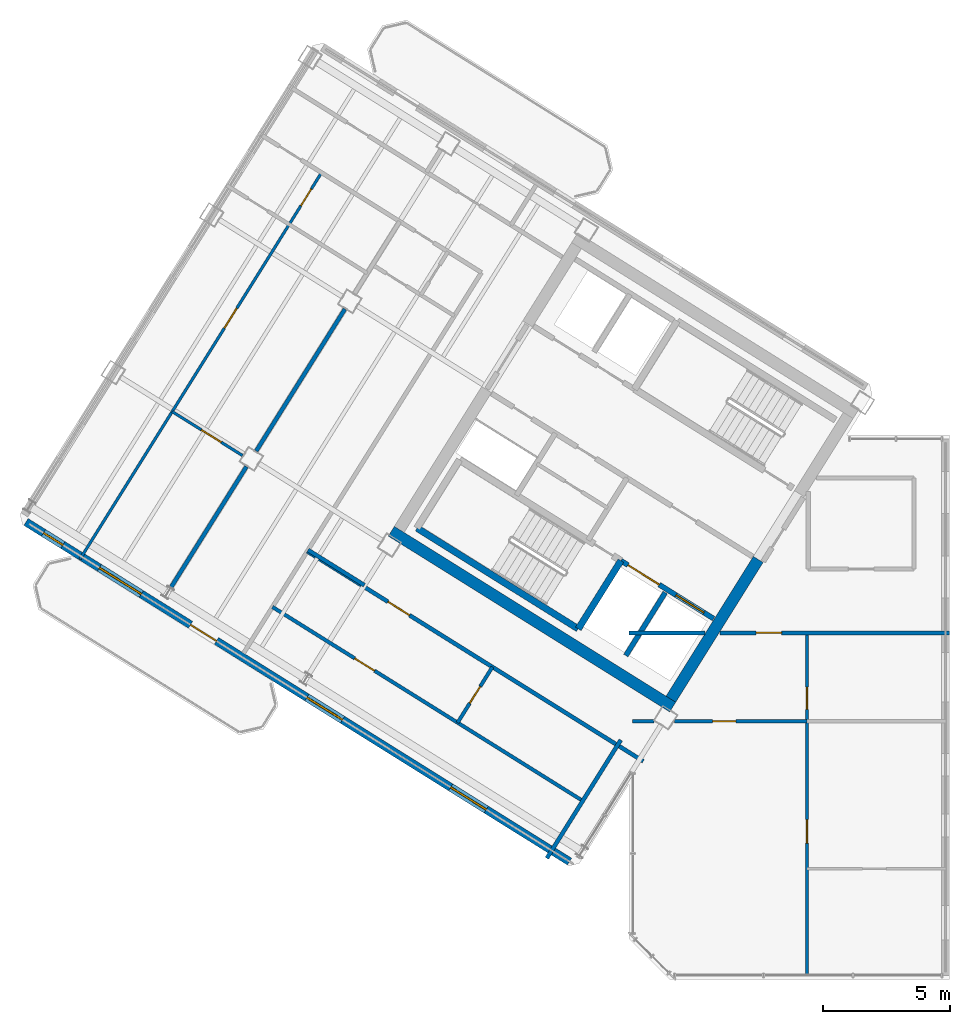
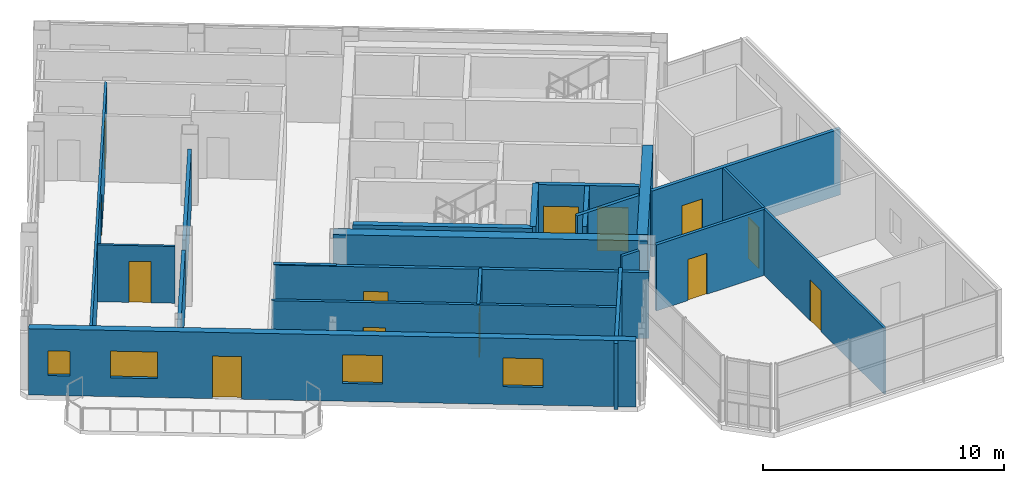
# One storey, part 7 of 14: 21 walls, 13 doors, 4 windows, 17 openings.
"""IFC4 building model written with IfcOpenShell, lengths in metres."""

from ifc_helpers import new_model, si_unit, direction, frame, frame_2d, origin, place, context, subcontext, project, spatial, rectangle, extrude, source, transform, mapped, material, layer, layer_set, type_object, element, fill, save


model = new_model("IFC4")

# Units and contexts
model_context = context("Model", 3, precision=1e-05, world=origin(), true_north=direction((0.0, 1.0)))
body_context = subcontext(model_context, "Body", "Model", "MODEL_VIEW")
ifc_project = project(units=[si_unit("LENGTHUNIT", "METRE"), si_unit("AREAUNIT", "SQUARE_METRE"), si_unit("VOLUMEUNIT", "CUBIC_METRE"), si_unit("PLANEANGLEUNIT", "RADIAN"), si_unit("MASSUNIT", "GRAM", prefix="KILO")], contexts=[model_context])

# Site, building, storey
site_placement = place(None, origin())
site = spatial("IfcSite", under=ifc_project, at=site_placement, CompositionType="ELEMENT")
building_placement = place(site_placement, origin())
building = spatial("IfcBuilding", under=site, at=building_placement, Name="Tlacorven Tower", CompositionType="ELEMENT")
storey_placement = place(building_placement, frame((0.0, 0.0, 284.39990234375)))
storey = spatial("IfcBuildingStorey", under=building, at=storey_placement, Name="L72", CompositionType="ELEMENT", Elevation=284.39990234375)

# Walls
ifc_material_1 = material(Name="Concrete C50/60", Category="concrete")
ifc_layer_1 = layer(ifc_material_1, 0.449951171875)
ifc_layer_set_1 = layer_set([ifc_layer_1], Name="Concrete C50/60")
wall_type_1 = type_object("IfcWallType", Name="WL-COR-450", PredefinedType="SHEAR", material=ifc_layer_set_1)
wall_1_placement = place(storey_placement, frame((33.32373046875, 12.5029296875, 0.0), z_axis=(0.0, 0.0, 1.0), x_axis=(-0.848043529849, 0.529926571782, 0.0)))
element("IfcWall", 1, at=wall_1_placement, inside=storey, type_object=wall_type_1, Name="L72 W core shear wall S2", PredefinedType="SHEAR", context=body_context, shape_type="SweptSolid", body=[
    extrude(rectangle(XDim=13.039794921875, YDim=0.449951171875, at=frame_2d((6.52001953125, 0.0))), origin(), (0.0, 0.0, 1.0), 3.35009765625),
])
wall_2_placement = place(storey_placement, frame((36.683349609375, 18.30419921875, 0.0), z_axis=(0.0, 0.0, 1.0), x_axis=(-0.529904039071, -0.848057609704, 0.0)))
element("IfcWall", 2, at=wall_2_placement, inside=storey, type_object=wall_type_1, Name="L72 W core end wall E1.2", PredefinedType="SHEAR", context=body_context, shape_type="SweptSolid", body=[
    extrude(rectangle(XDim=6.47509765625, YDim=0.449951171875, at=frame_2d((3.237548828125, 0.0))), origin(), (0.0, 0.0, 1.0), 3.35009765625),
])
ifc_material_2 = material(Name="Gypsum plasterboard acoustic partition", Category="gypsum")
ifc_layer_2 = layer(ifc_material_2, 0.159912109375)
ifc_layer_set_2 = layer_set([ifc_layer_2], Name="Gypsum plasterboard acoustic partition")
wall_type_2 = type_object("IfcWallType", Name="WL-DEM-160", PredefinedType="PARTITIONING", material=ifc_layer_set_2)
wall_3_placement = place(storey_placement, frame((21.20556640625, 17.29248046875, 0.0), z_axis=(0.0, 0.0, 1.0), x_axis=(-0.848050851465, 0.529914854792, 0.0)))
element("IfcWall", 3, at=wall_3_placement, inside=storey, type_object=wall_type_2, Name="L72 partition 21", PredefinedType="PARTITIONING", context=body_context, shape_type="SweptSolid", body=[
    extrude(rectangle(XDim=2.60986328125, YDim=0.159912109375, at=frame_2d((1.304931640625, 0.0))), origin(), (0.0, 0.0, 1.0), 3.340087890625),
])
wall_4_placement = place(storey_placement, frame((20.440185546875, 28.14501953125, 0.0), z_axis=(0.0, 0.0, 1.0), x_axis=(-0.529938869374, -0.84803584519, 0.0)))
element("IfcWall", 4, at=wall_4_placement, inside=storey, type_object=wall_type_2, Name="L72 WN Demising Wall 1", PredefinedType="PARTITIONING", context=body_context, shape_type="SweptSolid", body=[
    extrude(rectangle(XDim=6.575927734375, YDim=0.159912109375, at=frame_2d((3.2880859375, 0.0))), origin(), (0.0, 0.0, 1.0), 2.875),
])
wall_5_placement = place(storey_placement, frame((16.57177734375, 21.954345703125, 0.0), z_axis=(0.0, 0.0, 1.0), x_axis=(-0.529904903214, -0.848057069748, 0.0)))
element("IfcWall", 5, at=wall_5_placement, inside=storey, type_object=wall_type_2, Name="L72 WN Demising Wall 1", PredefinedType="PARTITIONING", context=body_context, shape_type="SweptSolid", body=[
    extrude(rectangle(XDim=5.60107421875, YDim=0.159912109375, at=frame_2d((2.800537109375, 0.0))), origin(), (0.0, 0.0, 1.0), 2.875),
])

# Wall, opening, door
wall_6_placement = place(storey_placement, frame((32.164306640625, 10.373779296875, 0.0), z_axis=(0.0, 0.0, 1.0), x_axis=(-0.848044107957, 0.529925646633, 0.0)))
wall_6 = element("IfcWall", 6, at=wall_6_placement, inside=storey, type_object=wall_type_2, Name="L72 partition 35", PredefinedType="PARTITIONING", context=body_context, shape_type="SweptSolid", body=[
    extrude(rectangle(XDim=15.570068359375, YDim=0.159912109375, at=frame_2d((7.78515625, 0.0))), origin(), (0.0, 0.0, 1.0), 3.340087890625),
])
opening_1_placement = place(wall_6_placement, frame((10.830078125, 0.0, 0.0)))
opening_1 = element("IfcOpeningElement", 7, at=opening_1_placement, cuts=wall_6, Name="Opening D11", PredefinedType="OPENING", context=body_context, shape_type="SweptSolid", body=[
    extrude(rectangle(XDim=1.0, YDim=2.10009765625, at=frame_2d((0.5, 1.050048828125))), frame((0.0, 0.08984375, 0.0), z_axis=(0.0, -1.0, 0.0), x_axis=(1.0, 0.0, 0.0)), (0.0, 0.0, 1.0), 0.179931640625),
])
ifc_material_3 = material(Name="Fire-rated steel door assembly", Category="steel")
door_type_1 = type_object("IfcDoorType", Name="DR-FLT-FD60-1000", OperationType="NOTDEFINED", PredefinedType="DOOR", material=ifc_material_3)
shared_shape_1 = source(origin(), body_context, "Body", "SweptSolid", [
    extrude(rectangle(XDim=1.0, YDim=2.10009765625, at=frame_2d((0.5, 1.050048828125))), frame((0.0, 0.02490234375, 0.0), z_axis=(0.0, -1.0, 0.0), x_axis=(1.0, 0.0, 0.0)), (0.0, 0.0, 1.0), 0.050048828125),
])
door_1_placement = place(opening_1_placement, origin())
door_1 = element("IfcDoor", 8, at=door_1_placement, inside=storey, type_object=door_type_1, Name="L72 door 023", OperationType="SINGLE_SWING_LEFT", OverallHeight=2.10009765625, OverallWidth=1.0, PredefinedType="DOOR", context=body_context, shape_type="MappedRepresentation", body=[
    mapped(shared_shape_1, transform((0.0, 0.0, 0.0), scale=1.0)),
])
fill(opening_1, door_1)

# Walls
wall_7_placement = place(storey_placement, frame((31.282470703125, 11.2080078125, 0.0), z_axis=(0.0, 0.0, 1.0), x_axis=(-0.529938869374, -0.84803584519, 0.0)))
element("IfcWall", 9, at=wall_7_placement, inside=storey, type_object=wall_type_2, Name="L72 WC West Throat Wall", PredefinedType="PARTITIONING", context=body_context, shape_type="SweptSolid", body=[
    extrude(rectangle(XDim=5.47998046875, YDim=0.159912109375, at=frame_2d((2.739990234375, 0.0))), origin(), (0.0, 0.0, 1.0), 3.340087890625),
])
wall_8_placement = place(storey_placement, frame((31.60009765625, 15.419921875, 0.0), z_axis=(0.0, 0.0, 1.0), x_axis=(1.0, 0.0, 0.0)))
element("IfcWall", 10, at=wall_8_placement, inside=storey, type_object=wall_type_2, Name="L72 Knuckle Corridor South Wall", PredefinedType="PARTITIONING", context=body_context, shape_type="SweptSolid", body=[
    extrude(rectangle(XDim=2.984130859375, YDim=0.159912109375, at=frame_2d((1.4921875, 0.0))), origin(), (0.0, 0.0, 1.0), 3.340087890625),
])

# Wall, opening, door
wall_9_placement = place(storey_placement, frame((35.178466796875, 15.419921875, 0.0), z_axis=(0.0, 0.0, 1.0), x_axis=(1.0, 0.0, 0.0)))
wall_9 = element("IfcWall", 11, at=wall_9_placement, inside=storey, type_object=wall_type_2, Name="L72 Knuckle Corridor South Wall", PredefinedType="PARTITIONING", context=body_context, shape_type="SweptSolid", body=[
    extrude(rectangle(XDim=9.021484375, YDim=0.159912109375, at=frame_2d((4.5107421875, 0.0))), origin(), (0.0, 0.0, 1.0), 3.340087890625),
])
opening_2_placement = place(wall_9_placement, frame((1.421630859375, 0.0, 0.0)))
opening_2 = element("IfcOpeningElement", 12, at=opening_2_placement, cuts=wall_9, Name="Opening D11", PredefinedType="OPENING", context=body_context, shape_type="SweptSolid", body=[
    extrude(rectangle(XDim=1.0, YDim=2.10009765625, at=frame_2d((0.5, 1.050048828125))), frame((0.0, 0.08984375, 0.0), z_axis=(0.0, -1.0, 0.0), x_axis=(1.0, 0.0, 0.0)), (0.0, 0.0, 1.0), 0.179931640625),
])
door_2_placement = place(opening_2_placement, frame((1.0, 0.0, 0.0), z_axis=(0.0, 0.0, 1.0), x_axis=(-1.0, 0.0, 0.0)))
door_2 = element("IfcDoor", 13, at=door_2_placement, inside=storey, type_object=door_type_1, Name="L72 door 030", OperationType="SINGLE_SWING_LEFT", OverallHeight=2.10009765625, OverallWidth=1.0, PredefinedType="DOOR", context=body_context, shape_type="MappedRepresentation", body=[
    mapped(shared_shape_1, transform((0.0, 0.0, 0.0), scale=1.0)),
])
fill(opening_2, door_2)

# Wall, openings, door, windows
ifc_material_4 = material(Name="Precast concrete C45/55", Category="concrete")
ifc_layer_3 = layer(ifc_material_4, 0.320068359375)
ifc_layer_set_3 = layer_set([ifc_layer_3], Name="Precast concrete C45/55")
wall_type_3 = type_object("IfcWallType", Name="WL-EXT-320", PredefinedType="STANDARD", material=ifc_layer_set_3)
wall_10_placement = place(storey_placement, frame((29.267822265625, 6.429443359375, 0.0), z_axis=(0.0, 0.0, 1.0), x_axis=(-0.848048398186, 0.529918780885, 0.0)))
wall_10 = element("IfcWall", 14, at=wall_10_placement, inside=storey, type_object=wall_type_3, Name="L72 Masonry-Frame Recessed Facade Wall 2", PredefinedType="STANDARD", context=body_context, shape_type="SweptSolid", body=[
    extrude(rectangle(XDim=25.187744140625, YDim=0.320068359375, at=frame_2d((12.59375, 0.0))), origin(), (0.0, 0.0, 1.0), 3.35009765625),
])
opening_3_placement = place(wall_10_placement, frame((16.36181640625, 0.0, 0.0)))
opening_3 = element("IfcOpeningElement", 15, at=opening_3_placement, cuts=wall_10, Name="Opening D05", PredefinedType="OPENING", context=body_context, shape_type="SweptSolid", body=[
    extrude(rectangle(XDim=1.199951171875, YDim=2.14990234375, at=frame_2d((0.60009765625, 1.074951171875))), frame((0.0, 0.169921875, 0.0), z_axis=(0.0, -1.0, 0.0), x_axis=(1.0, 0.0, 0.0)), (0.0, 0.0, 1.0), 0.340087890625),
])
opening_4_placement = place(wall_10_placement, frame((3.858642578125, 0.0, 0.89990234375)))
opening_4 = element("IfcOpeningElement", 16, at=opening_4_placement, cuts=wall_10, Name="Opening WN07", PredefinedType="OPENING", context=body_context, shape_type="SweptSolid", body=[
    extrude(rectangle(XDim=1.64990234375, YDim=1.449951171875, at=frame_2d((0.824951171875, 0.72509765625))), frame((0.0, 0.169921875, 0.0), z_axis=(0.0, -1.0, 0.0), x_axis=(1.0, 0.0, 0.0)), (0.0, 0.0, 1.0), 0.340087890625),
])
opening_5_placement = place(wall_10_placement, frame((10.518798828125, 0.0, 0.89990234375)))
opening_5 = element("IfcOpeningElement", 17, at=opening_5_placement, cuts=wall_10, Name="Opening WN07", PredefinedType="OPENING", context=body_context, shape_type="SweptSolid", body=[
    extrude(rectangle(XDim=1.64990234375, YDim=1.449951171875, at=frame_2d((0.824951171875, 0.72509765625))), frame((0.0, 0.169921875, 0.0), z_axis=(0.0, -1.0, 0.0), x_axis=(1.0, 0.0, 0.0)), (0.0, 0.0, 1.0), 0.340087890625),
])
opening_6_placement = place(wall_10_placement, frame((19.84130859375, 0.0, 0.949951171875)))
opening_6 = element("IfcOpeningElement", 18, at=opening_6_placement, cuts=wall_10, Name="Opening WN09", PredefinedType="OPENING", context=body_context, shape_type="SweptSolid", body=[
    extrude(rectangle(XDim=1.949951171875, YDim=1.35009765625, at=frame_2d((0.97509765625, 0.675048828125))), frame((0.0, 0.169921875, 0.0), z_axis=(0.0, -1.0, 0.0), x_axis=(1.0, 0.0, 0.0)), (0.0, 0.0, 1.0), 0.340087890625),
])
opening_7_placement = place(wall_10_placement, frame((23.47802734375, 0.0, 1.0)))
opening_7 = element("IfcOpeningElement", 19, at=opening_7_placement, cuts=wall_10, Name="Opening WN05", PredefinedType="OPENING", context=body_context, shape_type="SweptSolid", body=[
    extrude(rectangle(XDim=0.89990234375, YDim=1.25, at=frame_2d((0.449951171875, 0.625))), frame((0.0, 0.169921875, 0.0), z_axis=(0.0, -1.0, 0.0), x_axis=(1.0, 0.0, 0.0)), (0.0, 0.0, 1.0), 0.340087890625),
])
ifc_material_5 = material(Name="Powder-coated aluminium and timber door", Category="wood")
door_type_2 = type_object("IfcDoorType", Name="DR-EXT-BALC-1200", OperationType="NOTDEFINED", PredefinedType="DOOR", material=ifc_material_5)
shared_shape_2 = source(origin(), body_context, "Body", "SweptSolid", [
    extrude(rectangle(XDim=1.199951171875, YDim=2.14990234375, at=frame_2d((0.60009765625, 1.074951171875))), frame((0.0, 0.02490234375, 0.0), z_axis=(0.0, -1.0, 0.0), x_axis=(1.0, 0.0, 0.0)), (0.0, 0.0, 1.0), 0.050048828125),
])
door_3_placement = place(opening_3_placement, origin())
door_3 = element("IfcDoor", 20, at=door_3_placement, inside=storey, type_object=door_type_2, Name="L72 Outdoor Access Door BAL-L72-W-OUT", OperationType="SINGLE_SWING_LEFT", OverallHeight=2.14990234375, OverallWidth=1.199951171875, PredefinedType="DOOR", context=body_context, shape_type="MappedRepresentation", body=[
    mapped(shared_shape_2, transform((0.0, 0.0, 0.0), scale=1.0)),
])
fill(opening_3, door_3)
ifc_material_6 = material(Name="Dark solar low-E double glazing in anodised aluminium frame", Category="aluminium")
window_type_1 = type_object("IfcWindowType", Name="WN-APT-0900X1350", PartitioningType="SINGLE_PANEL", PredefinedType="WINDOW", material=ifc_material_6)
shared_shape_3 = source(origin(), body_context, "Body", "SweptSolid", [
    extrude(rectangle(XDim=0.89990234375, YDim=1.25, at=frame_2d((0.449951171875, 0.625))), frame((0.0, 0.030029296875, 0.0), z_axis=(0.0, -1.0, 0.0), x_axis=(1.0, 0.0, 0.0)), (0.0, 0.0, 1.0), 0.06005859375),
])
window_1_placement = place(opening_7_placement, origin())
window_1 = element("IfcWindow", 21, at=window_1_placement, inside=storey, type_object=window_type_1, Name="L72 Recessed Masonry-Frame Window L72-02.4", OverallHeight=1.25, OverallWidth=0.89990234375, PartitioningType="SINGLE_PANEL", PredefinedType="WINDOW", context=body_context, shape_type="MappedRepresentation", body=[
    mapped(shared_shape_3, transform((0.0, 0.0, 0.0), scale=1.0)),
])
fill(opening_7, window_1)
window_type_2 = type_object("IfcWindowType", Name="WN-APT-1650X1600", PartitioningType="SINGLE_PANEL", PredefinedType="WINDOW", material=ifc_material_6)
shared_shape_4 = source(origin(), body_context, "Body", "SweptSolid", [
    extrude(rectangle(XDim=1.64990234375, YDim=1.449951171875, at=frame_2d((0.824951171875, 0.72509765625))), frame((0.0, 0.030029296875, 0.0), z_axis=(0.0, -1.0, 0.0), x_axis=(1.0, 0.0, 0.0)), (0.0, 0.0, 1.0), 0.06005859375),
])
window_2_placement = place(opening_4_placement, origin())
window_2 = element("IfcWindow", 22, at=window_2_placement, inside=storey, type_object=window_type_2, Name="L72 Recessed Masonry-Frame Window L72-02.1", OverallHeight=1.449951171875, OverallWidth=1.64990234375, PartitioningType="SINGLE_PANEL", PredefinedType="WINDOW", context=body_context, shape_type="MappedRepresentation", body=[
    mapped(shared_shape_4, transform((0.0, 0.0, 0.0), scale=1.0)),
])
fill(opening_4, window_2)
window_3_placement = place(opening_5_placement, origin())
window_3 = element("IfcWindow", 23, at=window_3_placement, inside=storey, type_object=window_type_2, Name="L72 Recessed Masonry-Frame Window L72-02.2", OverallHeight=1.449951171875, OverallWidth=1.64990234375, PartitioningType="SINGLE_PANEL", PredefinedType="WINDOW", context=body_context, shape_type="MappedRepresentation", body=[
    mapped(shared_shape_4, transform((0.0, 0.0, 0.0), scale=1.0)),
])
fill(opening_5, window_3)
window_type_3 = type_object("IfcWindowType", Name="WN-GAL-1950X1450", PartitioningType="SINGLE_PANEL", PredefinedType="WINDOW", material=ifc_material_6)
shared_shape_5 = source(origin(), body_context, "Body", "SweptSolid", [
    extrude(rectangle(XDim=1.949951171875, YDim=1.35009765625, at=frame_2d((0.97509765625, 0.675048828125))), frame((0.0, 0.030029296875, 0.0), z_axis=(0.0, -1.0, 0.0), x_axis=(1.0, 0.0, 0.0)), (0.0, 0.0, 1.0), 0.06005859375),
])
window_4_placement = place(opening_6_placement, origin())
window_4 = element("IfcWindow", 24, at=window_4_placement, inside=storey, type_object=window_type_3, Name="L72 Recessed Masonry-Frame Window L72-02.3", OverallHeight=1.35009765625, OverallWidth=1.949951171875, PartitioningType="SINGLE_PANEL", PredefinedType="WINDOW", context=body_context, shape_type="MappedRepresentation", body=[
    mapped(shared_shape_5, transform((0.0, 0.0, 0.0), scale=1.0)),
])
fill(opening_6, window_4)

# Wall, openings, doors
ifc_material_7 = material(Name="Gypsum plasterboard partition", Category="gypsum")
ifc_layer_4 = layer(ifc_material_7, 0.110107421875)
ifc_layer_set_4 = layer_set([ifc_layer_4], Name="Gypsum plasterboard partition")
wall_type_4 = type_object("IfcWallType", Name="WL-INT-110", PredefinedType="PARTITIONING", material=ifc_layer_set_4)
wall_11_placement = place(storey_placement, frame((19.522705078125, 33.50830078125, 0.0), z_axis=(0.0, 0.0, 1.0), x_axis=(-0.529910765222, -0.848053406869, 0.0)))
wall_11 = element("IfcWall", 25, at=wall_11_placement, inside=storey, type_object=wall_type_4, Name="L72 partition 29", PredefinedType="PARTITIONING", context=body_context, shape_type="SweptSolid", body=[
    extrude(rectangle(XDim=17.920166015625, YDim=0.110107421875, at=frame_2d((8.9599609375, 0.0))), origin(), (0.0, 0.0, 1.0), 3.340087890625),
])
opening_8_placement = place(wall_11_placement, frame((0.760009765625, 0.0, 0.0)))
opening_8 = element("IfcOpeningElement", 26, at=opening_8_placement, cuts=wall_11, Name="Opening D22", PredefinedType="OPENING", context=body_context, shape_type="SweptSolid", body=[
    extrude(rectangle(XDim=0.780029296875, YDim=2.050048828125, at=frame_2d((0.39013671875, 1.02490234375))), frame((0.0, 0.06494140625, 0.0), z_axis=(0.0, -1.0, 0.0), x_axis=(1.0, 0.0, 0.0)), (0.0, 0.0, 1.0), 0.130126953125),
])
opening_9_placement = place(wall_11_placement, frame((6.28857421875, 0.0, 0.0)))
opening_9 = element("IfcOpeningElement", 27, at=opening_9_placement, cuts=wall_11, Name="Opening D12", PredefinedType="OPENING", context=body_context, shape_type="SweptSolid", body=[
    extrude(rectangle(XDim=0.919921875, YDim=2.080078125, at=frame_2d((0.4599609375, 1.0400390625))), frame((0.0, 0.06494140625, 0.0), z_axis=(0.0, -1.0, 0.0), x_axis=(1.0, 0.0, 0.0)), (0.0, 0.0, 1.0), 0.130126953125),
])
door_type_3 = type_object("IfcDoorType", Name="DR-INT-WET-0780", OperationType="NOTDEFINED", PredefinedType="DOOR", material=ifc_material_5)
shared_shape_6 = source(origin(), body_context, "Body", "SweptSolid", [
    extrude(rectangle(XDim=0.780029296875, YDim=2.050048828125, at=frame_2d((0.39013671875, 1.02490234375))), frame((0.0, 0.02490234375, 0.0), z_axis=(0.0, -1.0, 0.0), x_axis=(1.0, 0.0, 0.0)), (0.0, 0.0, 1.0), 0.050048828125),
])
door_4_placement = place(opening_8_placement, origin())
door_4 = element("IfcDoor", 28, at=door_4_placement, inside=storey, type_object=door_type_3, Name="L72 door 018", OperationType="SINGLE_SWING_RIGHT", OverallHeight=2.050048828125, OverallWidth=0.780029296875, PredefinedType="DOOR", context=body_context, shape_type="MappedRepresentation", body=[
    mapped(shared_shape_6, transform((0.0, 0.0, 0.0), scale=1.0)),
])
fill(opening_8, door_4)
door_type_4 = type_object("IfcDoorType", Name="DR-INT-ROOM-0920", OperationType="NOTDEFINED", PredefinedType="DOOR", material=ifc_material_5)
shared_shape_7 = source(origin(), body_context, "Body", "SweptSolid", [
    extrude(rectangle(XDim=0.919921875, YDim=2.080078125, at=frame_2d((0.4599609375, 1.0400390625))), frame((0.0, 0.02490234375, 0.0), z_axis=(0.0, -1.0, 0.0), x_axis=(1.0, 0.0, 0.0)), (0.0, 0.0, 1.0), 0.050048828125),
])
door_5_placement = place(opening_9_placement, origin())
door_5 = element("IfcDoor", 29, at=door_5_placement, inside=storey, type_object=door_type_4, Name="L72 door 019", OperationType="SINGLE_SWING_LEFT", OverallHeight=2.080078125, OverallWidth=0.919921875, PredefinedType="DOOR", context=body_context, shape_type="MappedRepresentation", body=[
    mapped(shared_shape_7, transform((0.0, 0.0, 0.0), scale=1.0)),
])
fill(opening_9, door_5)

# Wall, opening, door
wall_12_placement = place(storey_placement, frame((16.415771484375, 22.387939453125, 0.0), z_axis=(0.0, 0.0, 1.0), x_axis=(-0.84806986598, 0.529884423641, 0.0)))
wall_12 = element("IfcWall", 30, at=wall_12_placement, inside=storey, type_object=wall_type_4, Name="L72 partition 33", PredefinedType="PARTITIONING", context=body_context, shape_type="SweptSolid", body=[
    extrude(rectangle(XDim=3.2578125, YDim=0.110107421875, at=frame_2d((1.62890625, 0.0))), origin(), (0.0, 0.0, 1.0), 2.875),
])
opening_10_placement = place(wall_12_placement, frame((0.988037109375, 0.0, 0.0)))
opening_10 = element("IfcOpeningElement", 31, at=opening_10_placement, cuts=wall_12, Name="Opening D12", PredefinedType="OPENING", context=body_context, shape_type="SweptSolid", body=[
    extrude(rectangle(XDim=0.919921875, YDim=2.080078125, at=frame_2d((0.4599609375, 1.0400390625))), frame((0.0, 0.06494140625, 0.0), z_axis=(0.0, -1.0, 0.0), x_axis=(1.0, 0.0, 0.0)), (0.0, 0.0, 1.0), 0.130126953125),
])
door_6_placement = place(opening_10_placement, origin())
door_6 = element("IfcDoor", 32, at=door_6_placement, inside=storey, type_object=door_type_4, Name="L72 door 020", OperationType="SINGLE_SWING_RIGHT", OverallHeight=2.080078125, OverallWidth=0.919921875, PredefinedType="DOOR", context=body_context, shape_type="MappedRepresentation", body=[
    mapped(shared_shape_7, transform((0.0, 0.0, 0.0), scale=1.0)),
])
fill(opening_10, door_6)

# Wall, openings, doors
wall_13_placement = place(storey_placement, frame((38.60009765625, 1.9599609375, 0.0), z_axis=(0.0, 0.0, 1.0), x_axis=(0.0, 1.0, 0.0)))
wall_13 = element("IfcWall", 33, at=wall_13_placement, inside=storey, type_object=wall_type_4, Name="L72 partition 45", PredefinedType="PARTITIONING", context=body_context, shape_type="SweptSolid", body=[
    extrude(rectangle(XDim=13.4599609375, YDim=0.110107421875, at=frame_2d((6.72998046875, 0.0))), origin(), (0.0, 0.0, 1.0), 3.340087890625),
])
opening_11_placement = place(wall_13_placement, frame((5.199951171875, 0.0, 0.0)))
opening_11 = element("IfcOpeningElement", 34, at=opening_11_placement, cuts=wall_13, Name="Opening D12", PredefinedType="OPENING", context=body_context, shape_type="SweptSolid", body=[
    extrude(rectangle(XDim=0.919921875, YDim=2.080078125, at=frame_2d((0.4599609375, 1.0400390625))), frame((0.0, 0.06494140625, 0.0), z_axis=(0.0, -1.0, 0.0), x_axis=(1.0, 0.0, 0.0)), (0.0, 0.0, 1.0), 0.130126953125),
])
opening_12_placement = place(wall_13_placement, frame((10.449951171875, 0.0, 0.0)))
opening_12 = element("IfcOpeningElement", 35, at=opening_12_placement, cuts=wall_13, Name="Opening D13", PredefinedType="OPENING", context=body_context, shape_type="SweptSolid", body=[
    extrude(rectangle(XDim=0.8798828125, YDim=2.080078125, at=frame_2d((0.43994140625, 1.0400390625))), frame((0.0, 0.06494140625, 0.0), z_axis=(0.0, -1.0, 0.0), x_axis=(1.0, 0.0, 0.0)), (0.0, 0.0, 1.0), 0.130126953125),
])
door_type_5 = type_object("IfcDoorType", Name="DR-INT-WET-0880", OperationType="NOTDEFINED", PredefinedType="DOOR", material=ifc_material_5)
shared_shape_8 = source(origin(), body_context, "Body", "SweptSolid", [
    extrude(rectangle(XDim=0.8798828125, YDim=2.080078125, at=frame_2d((0.43994140625, 1.0400390625))), frame((0.0, 0.02490234375, 0.0), z_axis=(0.0, -1.0, 0.0), x_axis=(1.0, 0.0, 0.0)), (0.0, 0.0, 1.0), 0.050048828125),
])
door_7_placement = place(opening_12_placement, origin())
door_7 = element("IfcDoor", 36, at=door_7_placement, inside=storey, type_object=door_type_5, Name="L72 door 032", OperationType="SINGLE_SWING_LEFT", OverallHeight=2.080078125, OverallWidth=0.8798828125, PredefinedType="DOOR", context=body_context, shape_type="MappedRepresentation", body=[
    mapped(shared_shape_8, transform((0.0, 0.0, 0.0), scale=1.0)),
])
fill(opening_12, door_7)
door_8_placement = place(opening_11_placement, origin())
door_8 = element("IfcDoor", 37, at=door_8_placement, inside=storey, type_object=door_type_4, Name="L72 door 028", OperationType="SINGLE_SWING_LEFT", OverallHeight=2.080078125, OverallWidth=0.919921875, PredefinedType="DOOR", context=body_context, shape_type="MappedRepresentation", body=[
    mapped(shared_shape_7, transform((0.0, 0.0, 0.0), scale=1.0)),
])
fill(opening_11, door_8)

# Wall, opening, door
ifc_material_8 = material(Name="Moisture-resistant gypsum plumbing wall", Category="gypsum")
ifc_layer_5 = layer(ifc_material_8, 0.139892578125)
ifc_layer_set_5 = layer_set([ifc_layer_5], Name="Moisture-resistant gypsum plumbing wall")
wall_type_5 = type_object("IfcWallType", Name="WL-PLM-140", PredefinedType="PLUMBINGWALL", material=ifc_layer_set_5)
wall_14_placement = place(storey_placement, frame((29.72021484375, 8.85888671875, 0.0), z_axis=(0.0, 0.0, 1.0), x_axis=(-0.848049134363, 0.529917602752, 0.0)))
wall_14 = element("IfcWall", 38, at=wall_14_placement, inside=storey, type_object=wall_type_5, Name="L72 partition 37", PredefinedType="PLUMBINGWALL", context=body_context, shape_type="SweptSolid", body=[
    extrude(rectangle(XDim=14.300048828125, YDim=0.139892578125, at=frame_2d((7.14990234375, 0.0))), origin(), (0.0, 0.0, 1.0), 3.340087890625),
])
opening_13_placement = place(wall_14_placement, frame((9.570068359375, 0.0, 0.0)))
opening_13 = element("IfcOpeningElement", 39, at=opening_13_placement, cuts=wall_14, Name="Opening D12", PredefinedType="OPENING", context=body_context, shape_type="SweptSolid", body=[
    extrude(rectangle(XDim=0.919921875, YDim=2.080078125, at=frame_2d((0.4599609375, 1.0400390625))), frame((0.0, 0.080078125, 0.0), z_axis=(0.0, -1.0, 0.0), x_axis=(1.0, 0.0, 0.0)), (0.0, 0.0, 1.0), 0.159912109375),
])
door_9_placement = place(opening_13_placement, origin())
door_9 = element("IfcDoor", 40, at=door_9_placement, inside=storey, type_object=door_type_4, Name="L72 door 024", OperationType="SINGLE_SWING_RIGHT", OverallHeight=2.080078125, OverallWidth=0.919921875, PredefinedType="DOOR", context=body_context, shape_type="MappedRepresentation", body=[
    mapped(shared_shape_7, transform((0.0, 0.0, 0.0), scale=1.0)),
])
fill(opening_13, door_9)

wall_15_placement = place(storey_placement, frame((26.236572265625, 14.077880859375, 0.0), z_axis=(0.0, 0.0, 1.0), x_axis=(-0.52995640672, -0.848024885824, 0.0)))
wall_15 = element("IfcWall", 41, at=wall_15_placement, inside=storey, type_object=wall_type_5, Name="L72 partition 38", PredefinedType="PLUMBINGWALL", context=body_context, shape_type="SweptSolid", body=[
    extrude(rectangle(XDim=2.579833984375, YDim=0.139892578125, at=frame_2d((1.2900390625, 0.0))), origin(), (0.0, 0.0, 1.0), 3.340087890625),
])
opening_14_placement = place(wall_15_placement, frame((0.89990234375, 0.0, 0.0)))
opening_14 = element("IfcOpeningElement", 42, at=opening_14_placement, cuts=wall_15, Name="Opening D22", PredefinedType="OPENING", context=body_context, shape_type="SweptSolid", body=[
    extrude(rectangle(XDim=0.780029296875, YDim=2.050048828125, at=frame_2d((0.39013671875, 1.02490234375))), frame((0.0, 0.080078125, 0.0), z_axis=(0.0, -1.0, 0.0), x_axis=(1.0, 0.0, 0.0)), (0.0, 0.0, 1.0), 0.159912109375),
])
door_10_placement = place(opening_14_placement, origin())
door_10 = element("IfcDoor", 43, at=door_10_placement, inside=storey, type_object=door_type_3, Name="L72 door 025", OperationType="SINGLE_SWING_LEFT", OverallHeight=2.050048828125, OverallWidth=0.780029296875, PredefinedType="DOOR", context=body_context, shape_type="MappedRepresentation", body=[
    mapped(shared_shape_6, transform((0.0, 0.0, 0.0), scale=1.0)),
])
fill(opening_14, door_10)

# Wall
wall_16_placement = place(storey_placement, frame((31.739990234375, 11.949951171875, 0.0), z_axis=(0.0, 0.0, 1.0), x_axis=(1.0, 0.0, 0.0)))
element("IfcWall", 44, at=wall_16_placement, inside=storey, type_object=wall_type_5, Name="L72 partition 46", PredefinedType="PLUMBINGWALL", context=body_context, shape_type="SweptSolid", body=[
    extrude(rectangle(XDim=0.842041015625, YDim=0.139892578125, at=frame_2d((0.4208984375, 0.0))), origin(), (0.0, 0.0, 1.0), 3.340087890625),
])

# Wall, opening, door
wall_17_placement = place(storey_placement, frame((33.387451171875, 11.949951171875, 0.0), z_axis=(0.0, 0.0, 1.0), x_axis=(1.0, 0.0, 0.0)))
wall_17 = element("IfcWall", 45, at=wall_17_placement, inside=storey, type_object=wall_type_5, Name="L72 partition 46", PredefinedType="PLUMBINGWALL", context=body_context, shape_type="SweptSolid", body=[
    extrude(rectangle(XDim=5.212646484375, YDim=0.139892578125, at=frame_2d((2.6064453125, 0.0))), origin(), (0.0, 0.0, 1.0), 3.340087890625),
])
opening_15_placement = place(wall_17_placement, frame((1.50244140625, 0.0, 0.0)))
opening_15 = element("IfcOpeningElement", 46, at=opening_15_placement, cuts=wall_17, Name="Opening D12", PredefinedType="OPENING", context=body_context, shape_type="SweptSolid", body=[
    extrude(rectangle(XDim=0.919921875, YDim=2.080078125, at=frame_2d((0.4599609375, 1.0400390625))), frame((0.0, 0.080078125, 0.0), z_axis=(0.0, -1.0, 0.0), x_axis=(1.0, 0.0, 0.0)), (0.0, 0.0, 1.0), 0.159912109375),
])
door_11_placement = place(opening_15_placement, frame((0.919921875, 0.0, 0.0), z_axis=(0.0, 0.0, 1.0), x_axis=(-1.0, 0.0, 0.0)))
door_11 = element("IfcDoor", 47, at=door_11_placement, inside=storey, type_object=door_type_4, Name="L72 door 031", OperationType="SINGLE_SWING_RIGHT", OverallHeight=2.080078125, OverallWidth=0.919921875, PredefinedType="DOOR", context=body_context, shape_type="MappedRepresentation", body=[
    mapped(shared_shape_7, transform((0.0, 0.0, 0.0), scale=1.0)),
])
fill(opening_15, door_11)

# Wall, openings, doors
ifc_material_9 = material(Name="Concrete C40/50", Category="concrete")
ifc_layer_6 = layer(ifc_material_9, 0.199951171875)
ifc_layer_set_6 = layer_set([ifc_layer_6], Name="Concrete C40/50")
wall_type_6 = type_object("IfcWallType", Name="WL-SHF-200", PredefinedType="STANDARD", material=ifc_layer_set_6)
wall_18_placement = place(storey_placement, frame((34.93310546875, 15.978271484375, 0.0), z_axis=(0.0, 0.0, 1.0), x_axis=(-0.848055739377, 0.529907032327, 0.0)))
wall_18 = element("IfcWall", 48, at=wall_18_placement, inside=storey, type_object=wall_type_6, Name="L72 Core W Firefighting Lift Shaft Front Wall", PredefinedType="STANDARD", context=body_context, shape_type="SweptSolid", body=[
    extrude(rectangle(XDim=4.298095703125, YDim=0.199951171875, at=frame_2d((2.14892578125, 0.0))), origin(), (0.0, 0.0, 1.0), 3.340087890625),
])
opening_16_placement = place(wall_18_placement, frame((0.447998046875, 0.0, 0.0)))
opening_16 = element("IfcOpeningElement", 49, at=opening_16_placement, cuts=wall_18, Name="Opening LD03", PredefinedType="OPENING", context=body_context, shape_type="SweptSolid", body=[
    extrude(rectangle(XDim=1.300048828125, YDim=2.199951171875, at=frame_2d((0.64990234375, 1.10009765625))), frame((0.0, 0.10986328125, 0.0), z_axis=(0.0, -1.0, 0.0), x_axis=(1.0, 0.0, 0.0)), (0.0, 0.0, 1.0), 0.219970703125),
])
opening_17_placement = place(wall_18_placement, frame((2.52294921875, 0.0, 0.0)))
opening_17 = element("IfcOpeningElement", 50, at=opening_17_placement, cuts=wall_18, Name="Opening LD04", PredefinedType="OPENING", context=body_context, shape_type="SweptSolid", body=[
    extrude(rectangle(XDim=1.449951171875, YDim=2.25, at=frame_2d((0.72509765625, 1.125))), frame((0.0, 0.10986328125, 0.0), z_axis=(0.0, -1.0, 0.0), x_axis=(1.0, 0.0, 0.0)), (0.0, 0.0, 1.0), 0.219970703125),
])
door_type_6 = type_object("IfcDoorType", Name="DR-LFT-SLID-1300", OperationType="DOUBLE_DOOR_SLIDING", PredefinedType="DOOR", material=ifc_material_3)
shared_shape_9 = source(origin(), body_context, "Body", "SweptSolid", [
    extrude(rectangle(XDim=1.300048828125, YDim=2.199951171875, at=frame_2d((0.64990234375, 1.10009765625))), frame((0.0, 0.02490234375, 0.0), z_axis=(0.0, -1.0, 0.0), x_axis=(1.0, 0.0, 0.0)), (0.0, 0.0, 1.0), 0.050048828125),
])
door_12_placement = place(opening_16_placement, origin())
door_12 = element("IfcDoor", 51, at=door_12_placement, inside=storey, type_object=door_type_6, Name="L72 Lift FFL-W1 Sliding Landing Door", OperationType="DOUBLE_DOOR_SLIDING", OverallHeight=2.199951171875, OverallWidth=1.300048828125, PredefinedType="DOOR", context=body_context, shape_type="MappedRepresentation", body=[
    mapped(shared_shape_9, transform((0.0, 0.0, 0.0), scale=1.0)),
])
fill(opening_16, door_12)
door_type_7 = type_object("IfcDoorType", Name="DR-LFT-SLID-1450", OperationType="DOUBLE_DOOR_SLIDING", PredefinedType="DOOR", material=ifc_material_3)
shared_shape_10 = source(origin(), body_context, "Body", "SweptSolid", [
    extrude(rectangle(XDim=1.449951171875, YDim=2.25, at=frame_2d((0.72509765625, 1.125))), frame((0.0, 0.02490234375, 0.0), z_axis=(0.0, -1.0, 0.0), x_axis=(1.0, 0.0, 0.0)), (0.0, 0.0, 1.0), 0.050048828125),
])
door_13_placement = place(opening_17_placement, origin())
door_13 = element("IfcDoor", 52, at=door_13_placement, inside=storey, type_object=door_type_7, Name="L72 Lift SVL-W1 Sliding Landing Door", OperationType="DOUBLE_DOOR_SLIDING", OverallHeight=2.25, OverallWidth=1.449951171875, PredefinedType="DOOR", context=body_context, shape_type="MappedRepresentation", body=[
    mapped(shared_shape_10, transform((0.0, 0.0, 0.0), scale=1.0)),
])
fill(opening_17, door_13)

# Walls
wall_19_placement = place(storey_placement, frame((33.02880859375, 17.003173828125, 0.0), z_axis=(0.0, 0.0, 1.0), x_axis=(-0.529916267533, -0.848049968695, 0.0)))
element("IfcWall", 53, at=wall_19_placement, inside=storey, type_object=wall_type_6, Name="L72 partition 11", PredefinedType="STANDARD", context=body_context, shape_type="SweptSolid", body=[
    extrude(rectangle(XDim=2.919921875, YDim=0.199951171875, at=frame_2d((1.4599609375, 0.0))), origin(), (0.0, 0.0, 1.0), 3.340087890625),
])
ifc_layer_7 = layer(ifc_material_1, 0.260009765625)
ifc_layer_set_7 = layer_set([ifc_layer_7], Name="Concrete C50/60")
wall_type_7 = type_object("IfcWallType", Name="WL-STW-260", PredefinedType="SHEAR", material=ifc_layer_set_7)
wall_20_placement = place(storey_placement, frame((29.60498046875, 15.581298828125, 0.0), z_axis=(0.0, 0.0, 1.0), x_axis=(-0.848036911448, 0.529937163087, 0.0)))
element("IfcWall", 54, at=wall_20_placement, inside=storey, type_object=wall_type_7, Name="L72 Stair W1 Far Shear Wall", PredefinedType="SHEAR", context=body_context, shape_type="SweptSolid", body=[
    extrude(rectangle(XDim=7.4599609375, YDim=0.260009765625, at=frame_2d((3.72998046875, 0.0))), origin(), (0.0, 0.0, 1.0), 3.35009765625),
])
wall_21_placement = place(storey_placement, frame((31.2880859375, 18.255859375, 0.0), z_axis=(0.0, 0.0, 1.0), x_axis=(-0.529943379326, -0.848033026897, 0.0)))
element("IfcWall", 55, at=wall_21_placement, inside=storey, type_object=wall_type_7, Name="L72 Stair W1 West Shear Wall", PredefinedType="SHEAR", context=body_context, shape_type="SweptSolid", body=[
    extrude(rectangle(XDim=3.159912109375, YDim=0.260009765625, at=frame_2d((1.580078125, 0.0))), origin(), (0.0, 0.0, 1.0), 3.35009765625),
])

save(model, "model.ifc")
